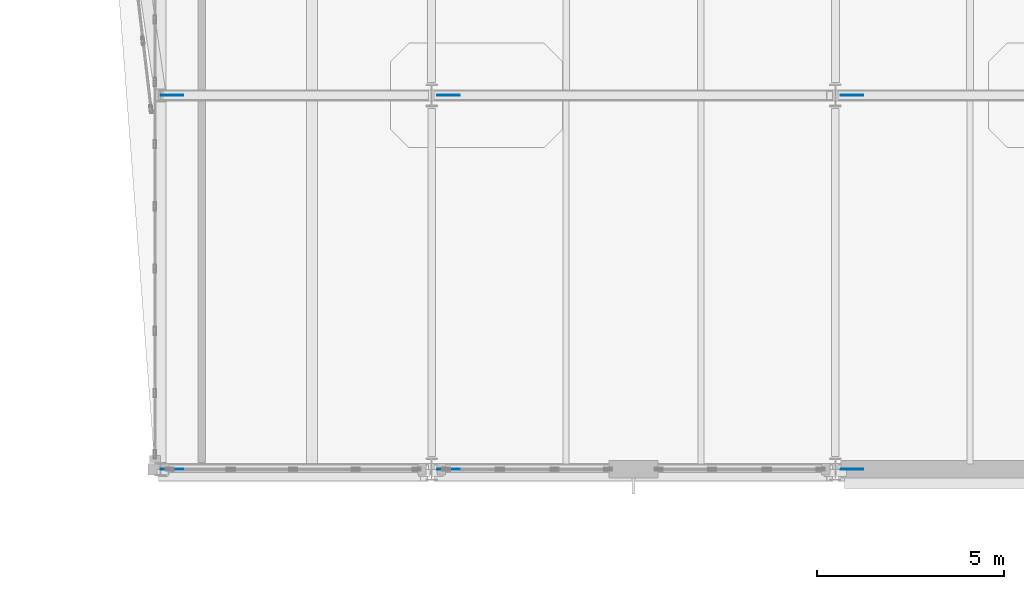
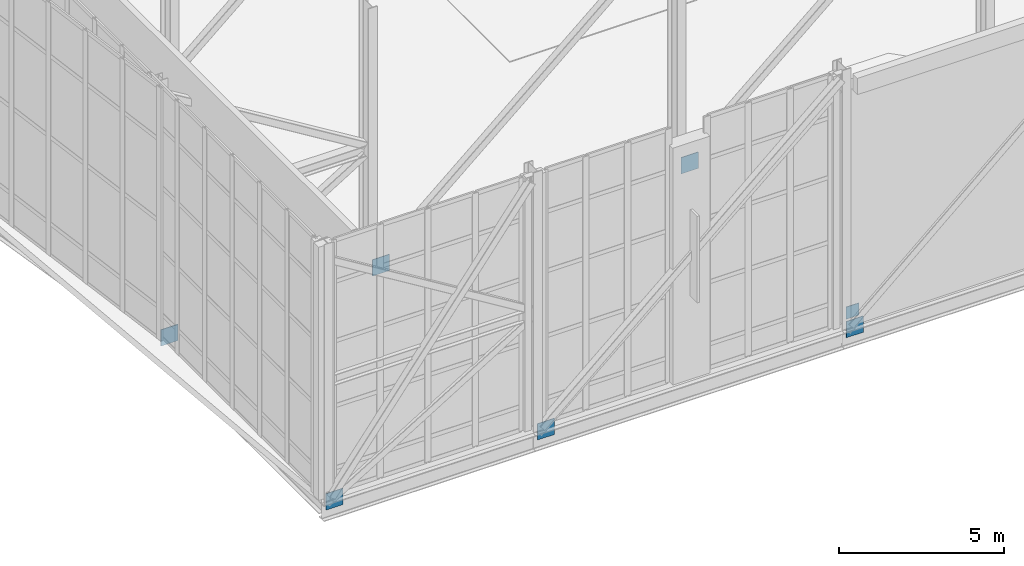
# One storey, part 74 of 100: 7 plates.
"""IFC4 building model written with IfcOpenShell, lengths in metres."""

from ifc_helpers import new_model, si_unit, direction, frame, origin, origin_2d, place, context, subcontext, project, spatial, rectangle, extrude, material, layer, layer_set, type_object, element, save


model = new_model("IFC4")

# Units and contexts
model_context = context("Model", 3, precision=1e-05, world=origin(), true_north=direction((0.0, 1.0)))
body_context = subcontext(model_context, "Body", "Model", "MODEL_VIEW")
ifc_project = project(units=[si_unit("LENGTHUNIT", "METRE"), si_unit("AREAUNIT", "SQUARE_METRE"), si_unit("VOLUMEUNIT", "CUBIC_METRE"), si_unit("PLANEANGLEUNIT", "RADIAN"), si_unit("MASSUNIT", "GRAM", prefix="KILO")], contexts=[model_context])

# Site, building, storey
site_placement = place(None, origin())
site = spatial("IfcSite", under=ifc_project, at=site_placement, CompositionType="ELEMENT")
building_placement = place(site_placement, origin())
building = spatial("IfcBuilding", under=site, at=building_placement, Name="Tasgan Crest Museum", CompositionType="ELEMENT")
storey_placement = place(building_placement, frame((0.0, 0.0, 14.39990234375)))
storey = spatial("IfcBuildingStorey", under=building, at=storey_placement, Name="L03", CompositionType="ELEMENT", Elevation=14.39990234375)

# Plates
ifc_material_1 = material(Name="Steel S355K2", Category="steel")
ifc_layer_1 = layer(ifc_material_1, 0.02001953125, Name="PL-GUSSET-450")
ifc_layer_set_1 = layer_set([ifc_layer_1], Name="Steel S355K2")
plate_type_1 = type_object("IfcPlateType", Name="PL-GUSSET-450", PredefinedType="USERDEFINED", material=ifc_layer_set_1)
plate_placement = place(storey_placement, frame((21.97509765625, 40.0, 0.125), z_axis=(0.0, 0.0, 1.0), x_axis=(1.0, 0.0, 0.0)))
element("IfcPlate", 1, at=plate_placement, inside=storey, type_object=plate_type_1, Name="Diagonal gusset plate L03 E 21.6", ObjectType="GUSSET PLATE", PredefinedType="USERDEFINED", context=body_context, shape_type="SweptSolid", body=[
    extrude(rectangle(XDim=0.449951171875, YDim=0.02001953125, at=origin_2d()), origin(), (0.0, 0.0, 1.0), 0.449951171875),
])
ifc_material_2 = material(Name="Steel S355K2", Category="steel")
ifc_layer_2 = layer(ifc_material_2, 0.02392578125, Name="PL-GUSSET-600")
ifc_layer_set_2 = layer_set([ifc_layer_2], Name="Steel S355K2")
plate_type_2 = type_object("IfcPlateType", Name="PL-GUSSET-600", PredefinedType="USERDEFINED", material=ifc_layer_set_2)
for number, where, z_axis, x_axis, name in (
    (2, (3.85009765625, 40.0, -0.56005859375), (0.0, 0.0, 1.0), (1.0, 0.0, 0.0), "Transfer truss gusset L03 E-1"),
    (3, (11.25, 40.0, -0.56005859375), (0.0, 0.0, 1.0), (1.0, 0.0, 0.0), "Transfer truss gusset L03 E-2"),
    (4, (22.050048828125, 40.0, -0.56005859375), (0.0, 0.0, 1.0), (1.0, 0.0, 0.0), "Transfer truss gusset L03 E-3"),
    (5, (3.85009765625, 50.0, -0.56005859375), (0.0, 0.0, 1.0), (1.0, 0.0, 0.0), "Transfer truss gusset L03 F-1"),
    (6, (11.25, 50.0, -0.56005859375), (0.0, 0.0, 1.0), (1.0, 0.0, 0.0), "Transfer truss gusset L03 F-2"),
    (7, (22.050048828125, 50.0, -0.56005859375), (0.0, 0.0, 1.0), (1.0, 0.0, 0.0), "Transfer truss gusset L03 F-3"),
):
    element("IfcPlate", number, at=place(storey_placement, frame(where, z_axis=z_axis, x_axis=x_axis)), inside=storey, type_object=plate_type_2, Name=name, ObjectType="GUSSET PLATE", PredefinedType="USERDEFINED", context=body_context, shape_type="SweptSolid", body=[
        extrude(rectangle(XDim=0.60009765625, YDim=0.02392578125, at=origin_2d()), origin(), (0.0, 0.0, 1.0), 0.60009765625),
    ])

save(model, "model.ifc")
